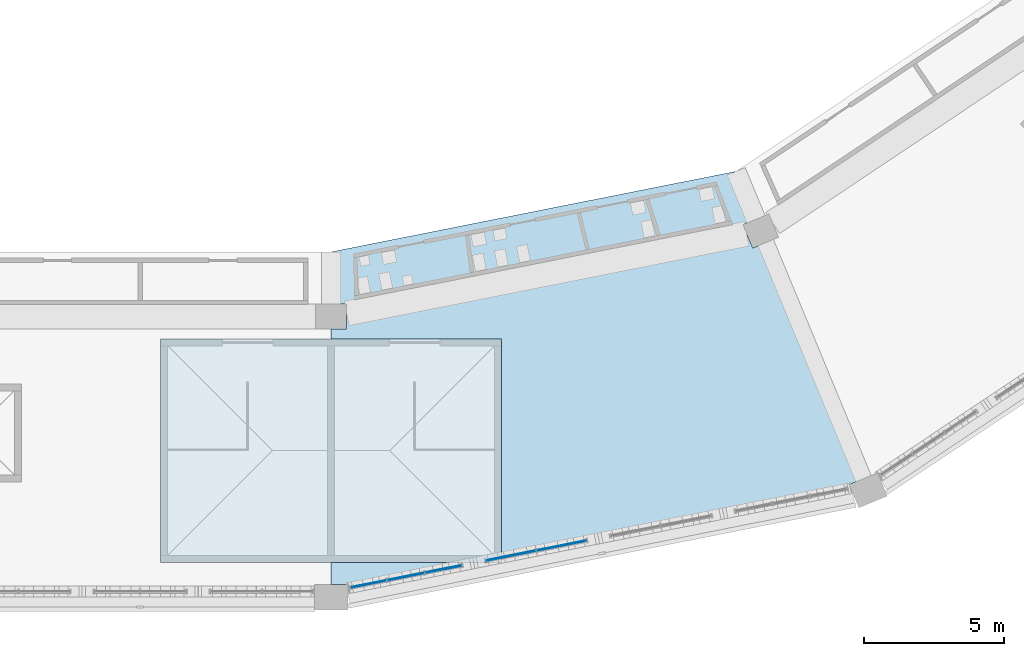
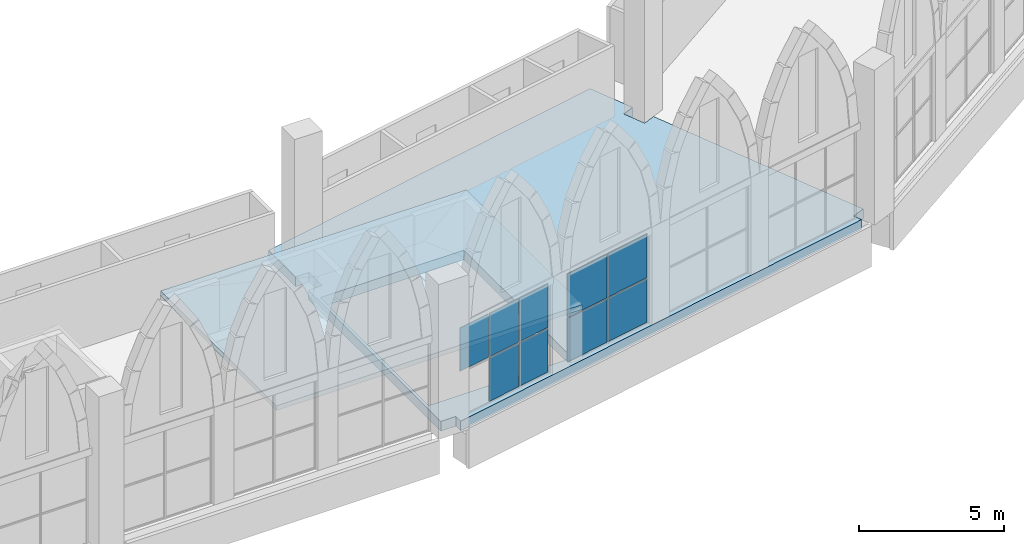
# One storey, part 51 of 130: 9 plates, 2 slabs, 2 elements without a shape of their own.
"""IFC4 building model written with IfcOpenShell, lengths in metres."""

from ifc_helpers import new_model, si_unit, direction, frame, origin, origin_2d, place, context, subcontext, project, spatial, polyline, rectangle, outline, extrude, material, layer, layer_set, type_object, element, aggregate, save


model = new_model("IFC4")

# Units and contexts
model_context = context("Model", 3, precision=1e-05, world=origin(), true_north=direction((0.0, 1.0)))
body_context = subcontext(model_context, "Body", "Model", "MODEL_VIEW")
ifc_project = project(units=[si_unit("LENGTHUNIT", "METRE"), si_unit("AREAUNIT", "SQUARE_METRE"), si_unit("VOLUMEUNIT", "CUBIC_METRE"), si_unit("PLANEANGLEUNIT", "RADIAN"), si_unit("MASSUNIT", "GRAM", prefix="KILO")], contexts=[model_context])

# Site, building, storey
site_placement = place(None, origin())
site = spatial("IfcSite", under=ifc_project, at=site_placement, CompositionType="ELEMENT")
building_placement = place(site_placement, origin())
building = spatial("IfcBuilding", under=site, at=building_placement, Name="Ogive Plaza Stadium", CompositionType="ELEMENT")
storey_placement = place(building_placement, frame((0.0, 0.0, 22.5)))
storey = spatial("IfcBuildingStorey", under=building, at=storey_placement, Name="L05", CompositionType="ELEMENT", Elevation=22.5)

# Slab
ifc_material_1 = material(Name="Concrete C40/50", Category="concrete")
ifc_layer_1 = layer(ifc_material_1, 0.199951171875)
ifc_layer_set_1 = layer_set([ifc_layer_1], Name="Concrete C40/50")
slab_type_1 = type_object("IfcSlabType", Name="Core roof slab", PredefinedType="ROOF", material=ifc_layer_set_1)
slab_1_placement = place(storey_placement, frame((0.0, 0.0, 2.10009765625)))
element("IfcSlab", 1, at=slab_1_placement, inside=storey, type_object=slab_type_1, Name="Stair core R12 roof", PredefinedType="ROOF", context=body_context, shape_type="SweptSolid", body=[
    extrude(outline(polyline([(27.925048828125, -93.300048828125), (27.925048828125, -101.260009765625), (40.074951171875, -101.260009765625), (40.074951171875, -93.300048828125), (27.925048828125, -93.300048828125)])), origin(), (0.0, 0.0, 1.0), 0.199951171875),
])

# Curtain wall, plates
ifc_material_2 = material(Name="Bronze-anodised aluminium with laminated glass", Category="aluminium")
curtain_wall_type = type_object("IfcCurtainWallType", Name="Lancet curtain wall", PredefinedType="NOTDEFINED", material=ifc_material_2)
curtain_wall_1_placement = place(storey_placement, origin())
curtain_wall_1 = element("IfcCurtainWall", 2, at=curtain_wall_1_placement, inside=storey, type_object=curtain_wall_type, Name="CURTAIN WALL B11 L05", PredefinedType="NOTDEFINED")
ifc_material_3 = material(Name="Laminated glass", Category="glass")
ifc_layer_2 = layer(ifc_material_3, 0.028076171875)
ifc_layer_set_2 = layer_set([ifc_layer_2], Name="Laminated glass panel 28")
plate_type = type_object("IfcPlateType", Name="Laminated glass panel 28", PredefinedType="CURTAIN_PANEL", material=ifc_layer_set_2)
plate_1_placement = place(storey_placement, frame((42.20849609375, -100.663330078125, 0.0498046875), z_axis=(0.0, 0.0, 1.0), x_axis=(-0.980785280417, -0.195090321948, 0.0)))
plate_1 = element("IfcPlate", 3, at=plate_1_placement, type_object=plate_type, Name="CW-B11-L05.3 panel 1.1", PredefinedType="CURTAIN_PANEL", context=body_context, shape_type="SweptSolid", body=[
    extrude(rectangle(XDim=1.790771484375, YDim=0.028076171875, at=origin_2d()), origin(), (0.0, 0.0, 1.0), 1.824951171875),
])
plate_2_placement = place(storey_placement, frame((42.20849609375, -100.663330078125, 1.9248046875), z_axis=(0.0, 0.0, 1.0), x_axis=(-0.980785280417, -0.195090321948, 0.0)))
plate_2 = element("IfcPlate", 4, at=plate_2_placement, type_object=plate_type, Name="CW-B11-L05.3 panel 1.2", PredefinedType="CURTAIN_PANEL", context=body_context, shape_type="SweptSolid", body=[
    extrude(rectangle(XDim=1.790771484375, YDim=0.028076171875, at=origin_2d()), origin(), (0.0, 0.0, 1.0), 1.824951171875),
])
plate_3_placement = place(storey_placement, frame((40.403076171875, -101.0224609375, 0.0498046875), z_axis=(0.0, 0.0, 1.0), x_axis=(-0.980785280417, -0.195090321948, 0.0)))
plate_3 = element("IfcPlate", 5, at=plate_3_placement, type_object=plate_type, Name="CW-B11-L05.3 panel 2.1", PredefinedType="CURTAIN_PANEL", context=body_context, shape_type="SweptSolid", body=[
    extrude(rectangle(XDim=1.790771484375, YDim=0.028076171875, at=origin_2d()), origin(), (0.0, 0.0, 1.0), 1.824951171875),
])
plate_4_placement = place(storey_placement, frame((40.403076171875, -101.0224609375, 1.9248046875), z_axis=(0.0, 0.0, 1.0), x_axis=(-0.980785280417, -0.195090321948, 0.0)))
plate_4 = element("IfcPlate", 6, at=plate_4_placement, type_object=plate_type, Name="CW-B11-L05.3 panel 2.2", PredefinedType="CURTAIN_PANEL", context=body_context, shape_type="SweptSolid", body=[
    extrude(rectangle(XDim=1.790771484375, YDim=0.028076171875, at=origin_2d()), origin(), (0.0, 0.0, 1.0), 1.824951171875),
])
aggregate(curtain_wall_1, [plate_1, plate_2, plate_3, plate_4])

curtain_wall_2_placement = place(storey_placement, origin())
curtain_wall_2 = element("IfcCurtainWall", 7, at=curtain_wall_2_placement, inside=storey, type_object=curtain_wall_type, Name="CURTAIN WALL B11 L05", PredefinedType="NOTDEFINED")
plate_5_placement = place(storey_placement, frame((38.003662109375, -101.499755859375, 0.0498046875), z_axis=(0.0, 0.0, 1.0), x_axis=(-0.980785280403, -0.195090322016, 0.0)))
plate_5 = element("IfcPlate", 8, at=plate_5_placement, type_object=plate_type, Name="CW-B11-L05.4 panel 1.1", PredefinedType="CURTAIN_PANEL", context=body_context, shape_type="SweptSolid", body=[
    extrude(rectangle(XDim=1.30224609375, YDim=0.028076171875, at=origin_2d()), origin(), (0.0, 0.0, 1.0), 1.824951171875),
])
plate_6_placement = place(storey_placement, frame((38.003662109375, -101.499755859375, 1.9248046875), z_axis=(0.0, 0.0, 1.0), x_axis=(-0.980785280403, -0.195090322016, 0.0)))
plate_6 = element("IfcPlate", 9, at=plate_6_placement, type_object=plate_type, Name="CW-B11-L05.4 panel 1.2", PredefinedType="CURTAIN_PANEL", context=body_context, shape_type="SweptSolid", body=[
    extrude(rectangle(XDim=1.30224609375, YDim=0.028076171875, at=origin_2d()), origin(), (0.0, 0.0, 1.0), 1.824951171875),
])
plate_7_placement = place(storey_placement, frame((36.6650390625, -101.765869140625, 0.0498046875), z_axis=(0.0, 0.0, 1.0), x_axis=(-0.980785280403, -0.195090322016, 0.0)))
plate_7 = element("IfcPlate", 10, at=plate_7_placement, type_object=plate_type, Name="CW-B11-L05.4 panel 2.1", PredefinedType="CURTAIN_PANEL", context=body_context, shape_type="SweptSolid", body=[
    extrude(rectangle(XDim=1.3271484375, YDim=0.028076171875, at=origin_2d()), origin(), (0.0, 0.0, 1.0), 1.824951171875),
])
plate_8_placement = place(storey_placement, frame((36.6650390625, -101.765869140625, 1.9248046875), z_axis=(0.0, 0.0, 1.0), x_axis=(-0.980785280403, -0.195090322016, 0.0)))
plate_8 = element("IfcPlate", 11, at=plate_8_placement, type_object=plate_type, Name="CW-B11-L05.4 panel 2.2", PredefinedType="CURTAIN_PANEL", context=body_context, shape_type="SweptSolid", body=[
    extrude(rectangle(XDim=1.3271484375, YDim=0.028076171875, at=origin_2d()), origin(), (0.0, 0.0, 1.0), 1.824951171875),
])
plate_9_placement = place(storey_placement, frame((35.32666015625, -102.0322265625, 1.9248046875), z_axis=(0.0, 0.0, 1.0), x_axis=(-0.980785280403, -0.195090322016, 0.0)))
plate_9 = element("IfcPlate", 12, at=plate_9_placement, type_object=plate_type, Name="CW-B11-L05.4 panel 3.2", PredefinedType="CURTAIN_PANEL", context=body_context, shape_type="SweptSolid", body=[
    extrude(rectangle(XDim=1.30224609375, YDim=0.028076171875, at=origin_2d()), origin(), (0.0, 0.0, 1.0), 1.824951171875),
])
aggregate(curtain_wall_2, [plate_5, plate_6, plate_7, plate_8, plate_9])

# Slab
ifc_material_4 = material(Name="Concrete C40/50", Category="concrete")
ifc_layer_3 = layer(ifc_material_4, 0.409912109375)
ifc_layer_set_3 = layer_set([ifc_layer_3], Name="Concrete C40/50")
slab_type_2 = type_object("IfcSlabType", Name="RC floor slab 410", PredefinedType="FLOOR", material=ifc_layer_set_3)
slab_2_placement = place(storey_placement, frame((0.0, 0.0, -0.409912109375)))
element("IfcSlab", 13, at=slab_2_placement, inside=storey, type_object=slab_type_2, Name="Floor slab L05 B11", PredefinedType="FLOOR", context=body_context, shape_type="SweptSolid", body=[
    extrude(outline(polyline([(34.0, -92.050048828125), (34.550048828125, -92.050048828125), (34.550048828125, -92.949951171875), (34.0, -92.949951171875), (34.0, -102.050048828125), (34.60009765625, -102.050048828125), (34.60009765625, -102.380615234375), (52.584228515625, -98.803466796875), (52.453857421875, -98.48876953125), (52.9619140625, -98.2783203125), (49.4794921875, -89.870849609375), (49.017578125, -90.062255859375), (48.673095703125, -89.230712890625), (49.135009765625, -89.03955078125), (48.42724609375, -87.330322265625), (34.0, -90.199951171875), (34.0, -92.050048828125)]), holes=[polyline([(39.824951171875, -93.550048828125), (34.125, -93.550048828125), (34.125, -101.010009765625), (39.824951171875, -101.010009765625), (39.824951171875, -93.550048828125)])]), origin(), (0.0, 0.0, 1.0), 0.409912109375),
])

save(model, "model.ifc")
